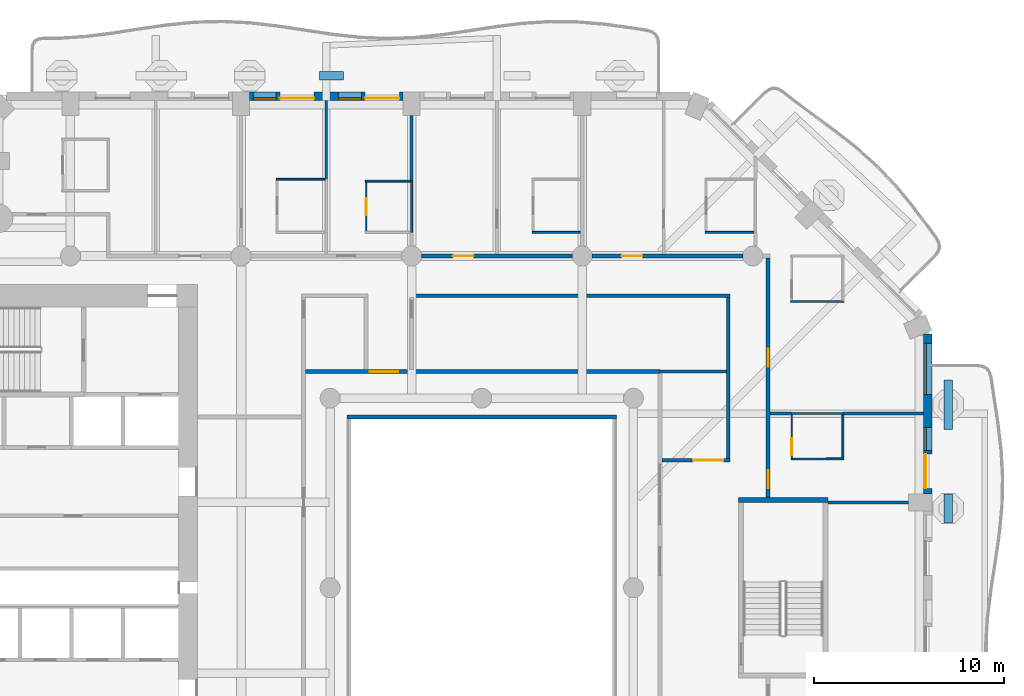
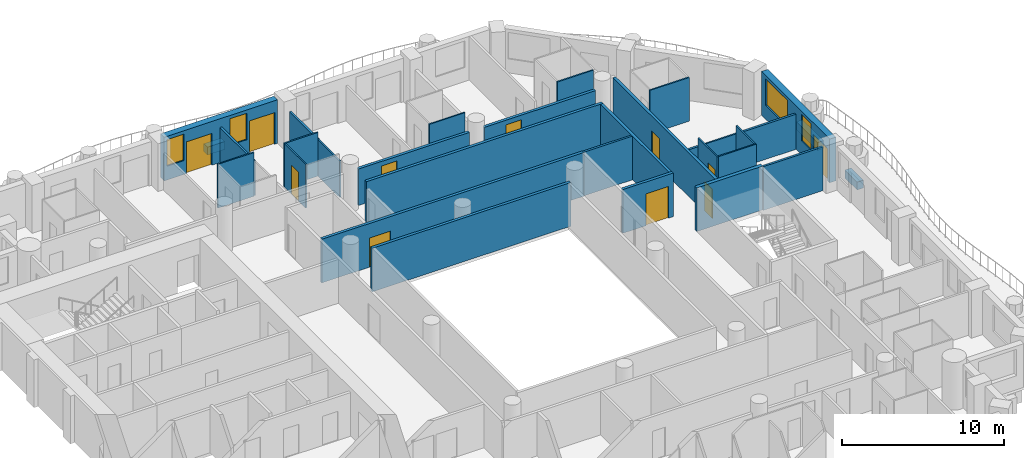
# One storey, part 9 of 20: 31 walls, 11 doors, 4 windows, 15 openings.
"""IFC4 building model written with IfcOpenShell, lengths in metres."""

from ifc_helpers import new_model, si_unit, direction, frame, frame_2d, origin, place, context, subcontext, project, spatial, rectangle, extrude, material, layer, layer_set, type_object, element, fill, save


model = new_model("IFC4")

# Units and contexts
model_context = context("Model", 3, precision=1e-05, world=origin(), true_north=direction((0.0, 1.0)))
body_context = subcontext(model_context, "Body", "Model", "MODEL_VIEW")
ifc_project = project(units=[si_unit("LENGTHUNIT", "METRE"), si_unit("AREAUNIT", "SQUARE_METRE"), si_unit("VOLUMEUNIT", "CUBIC_METRE"), si_unit("PLANEANGLEUNIT", "RADIAN"), si_unit("MASSUNIT", "GRAM", prefix="KILO")], contexts=[model_context])

# Site, building, storey
site_placement = place(None, origin())
site = spatial("IfcSite", under=ifc_project, at=site_placement, CompositionType="ELEMENT")
building_placement = place(site_placement, origin())
building = spatial("IfcBuilding", under=site, at=building_placement, Name="Cypress Arch Tower", CompositionType="ELEMENT")
storey_placement = place(building_placement, frame((0.0, 0.0, 113.10009765625)))
storey = spatial("IfcBuildingStorey", under=building, at=storey_placement, Name="L23", CompositionType="ELEMENT", Elevation=113.10009765625)

# Walls
ifc_material_1 = material(Name="Concrete C40/50, waterproofed", Category="concrete")
ifc_layer_1 = layer(ifc_material_1, 0.449951171875)
ifc_layer_set_1 = layer_set([ifc_layer_1], Name="Balcony planter wall PW450")
wall_type_1 = type_object("IfcWallType", Name="Balcony planter wall PW450", PredefinedType="SOLIDWALL", material=ifc_layer_set_1)
wall_1_placement = place(storey_placement, frame((25.60009765625, 3.42138671875, 0.0), z_axis=(0.0, 0.0, 1.0), x_axis=(0.0, 1.0, 0.0)))
element("IfcWall", 1, at=wall_1_placement, inside=storey, type_object=wall_type_1, Name="Balcony planter wall L23-A06.3", PredefinedType="SOLIDWALL", context=body_context, shape_type="SweptSolid", body=[
    extrude(rectangle(XDim=1.5224609375, YDim=0.449951171875, at=frame_2d((0.76123046875, 0.0))), origin(), (0.0, 0.0, 1.0), 0.599853515625),
])
wall_2_placement = place(storey_placement, frame((25.60009765625, 8.335693359375, 0.0), z_axis=(0.0, 0.0, 1.0), x_axis=(0.0, 1.0, 0.0)))
element("IfcWall", 2, at=wall_2_placement, inside=storey, type_object=wall_type_1, Name="Balcony planter wall L23-A06.4", PredefinedType="SOLIDWALL", context=body_context, shape_type="SweptSolid", body=[
    extrude(rectangle(XDim=2.6142578125, YDim=0.449951171875, at=frame_2d((1.30712890625, 0.0))), origin(), (0.0, 0.0, 1.0), 0.599853515625),
])
wall_3_placement = place(storey_placement, frame((-6.300048828125, 27.0, 0.0), z_axis=(0.0, 0.0, 1.0), x_axis=(-1.0, 0.0, 0.0)))
element("IfcWall", 3, at=wall_3_placement, inside=storey, type_object=wall_type_1, Name="Balcony planter wall L23-A08.3", PredefinedType="SOLIDWALL", context=body_context, shape_type="SweptSolid", body=[
    extrude(rectangle(XDim=1.25, YDim=0.449951171875, at=frame_2d((0.625, 0.0))), origin(), (0.0, 0.0, 1.0), 0.599853515625),
])

# Wall, openings, door, windows
ifc_material_2 = material(Name="Brick (red buff blend)", Category="masonry")
ifc_layer_2 = layer(ifc_material_2, 0.449951171875)
ifc_layer_set_2 = layer_set([ifc_layer_2], Name="Brick pier and spandrel wall BW450")
wall_type_2 = type_object("IfcWallType", Name="Brick pier and spandrel wall BW450", PredefinedType="SOLIDWALL", material=ifc_layer_set_2)
wall_4_placement = place(storey_placement, frame((24.52490234375, 4.949951171875, 0.0), z_axis=(0.0, 0.0, 1.0), x_axis=(0.0, 1.0, 0.0)))
wall_4 = element("IfcWall", 4, at=wall_4_placement, inside=storey, type_object=wall_type_2, Name="Brick wall L23 A06.3", PredefinedType="SOLIDWALL", context=body_context, shape_type="SweptSolid", body=[
    extrude(rectangle(XDim=8.438720703125, YDim=0.449951171875, at=frame_2d((4.21923828125, 0.0))), origin(), (0.0, 0.0, 1.0), 3.2998046875),
])
opening_1_placement = place(wall_4_placement, frame((0.2939453125, 0.0, 0.0)))
opening_1 = element("IfcOpeningElement", 5, at=opening_1_placement, cuts=wall_4, Name="Opening D-L23-A06.3.1", PredefinedType="OPENING", context=body_context, shape_type="SweptSolid", body=[
    extrude(rectangle(XDim=1.800048828125, YDim=2.39990234375, at=frame_2d((0.89990234375, 1.199951171875))), frame((0.0, 0.23486328125, 0.0), z_axis=(0.0, -1.0, 0.0), x_axis=(1.0, 0.0, 0.0)), (0.0, 0.0, 1.0), 0.469970703125),
])
opening_2_placement = place(wall_4_placement, frame((2.2939453125, 0.0, 1.050048828125)))
opening_2 = element("IfcOpeningElement", 6, at=opening_2_placement, cuts=wall_4, Name="Opening W120HD", PredefinedType="OPENING", context=body_context, shape_type="SweptSolid", body=[
    extrude(rectangle(XDim=1.199951171875, YDim=2.0, at=frame_2d((0.60009765625, 1.0))), frame((0.0, 0.23486328125, 0.0), z_axis=(0.0, -1.0, 0.0), x_axis=(1.0, 0.0, 0.0)), (0.0, 0.0, 1.0), 0.469970703125),
])
opening_3_placement = place(wall_4_placement, frame((5.231689453125, 0.0, 1.050048828125)))
opening_3 = element("IfcOpeningElement", 7, at=opening_3_placement, cuts=wall_4, Name="Opening W270HD", PredefinedType="OPENING", context=body_context, shape_type="SweptSolid", body=[
    extrude(rectangle(XDim=2.699951171875, YDim=2.0, at=frame_2d((1.35009765625, 1.0))), frame((0.0, 0.23486328125, 0.0), z_axis=(0.0, -1.0, 0.0), x_axis=(1.0, 0.0, 0.0)), (0.0, 0.0, 1.0), 0.469970703125),
])
ifc_material_3 = material(Name="Anodised aluminium, bronze finish, laminated low-emissivity double glazing, large-missile impact rated", Category="aluminium")
door_type_1 = type_object("IfcDoorType", Name="Balcony sliding door 1800x2400", OperationType="SLIDING_TO_LEFT", PredefinedType="DOOR", material=ifc_material_3)
door_1_placement = place(opening_1_placement, origin())
door_1 = element("IfcDoor", 8, at=door_1_placement, inside=storey, type_object=door_type_1, Name="Balcony door L23 A06.3.1", OperationType="SLIDING_TO_LEFT", OverallHeight=2.39990234375, OverallWidth=1.800048828125, PredefinedType="DOOR", context=body_context, shape_type="SweptSolid", body=[
    extrude(rectangle(XDim=1.800048828125, YDim=2.39990234375, at=frame_2d((0.89990234375, 1.199951171875))), frame((0.0, 0.1298828125, 0.0), z_axis=(0.0, -1.0, 0.0), x_axis=(1.0, 0.0, 0.0)), (0.0, 0.0, 1.0), 0.050048828125),
])
fill(opening_1, door_1)
ifc_material_4 = material(Name="Anodised aluminium, bronze finish, laminated low-emissivity double glazing, large-missile impact rated", Category="aluminium")
window_type_1 = type_object("IfcWindowType", Name="Window Hotel 1200x2000 debris-rated", PartitioningType="SINGLE_PANEL", PredefinedType="WINDOW", material=ifc_material_4)
window_1_placement = place(opening_2_placement, origin())
window_1 = element("IfcWindow", 9, at=window_1_placement, inside=storey, type_object=window_type_1, Name="Window L23 A06.3.1", OverallHeight=2.0, OverallWidth=1.199951171875, PartitioningType="SINGLE_PANEL", PredefinedType="WINDOW", context=body_context, shape_type="SweptSolid", body=[
    extrude(rectangle(XDim=1.199951171875, YDim=2.0, at=frame_2d((0.60009765625, 1.0))), frame((0.0, 0.135009765625, 0.0), z_axis=(0.0, -1.0, 0.0), x_axis=(1.0, 0.0, 0.0)), (0.0, 0.0, 1.0), 0.06005859375),
])
fill(opening_2, window_1)
ifc_material_5 = material(Name="Anodised aluminium, bronze finish, laminated low-emissivity double glazing, large-missile impact rated", Category="aluminium")
window_type_2 = type_object("IfcWindowType", Name="Window Hotel 2700x2000 debris-rated", PartitioningType="SINGLE_PANEL", PredefinedType="WINDOW", material=ifc_material_5)
window_2_placement = place(opening_3_placement, origin())
window_2 = element("IfcWindow", 10, at=window_2_placement, inside=storey, type_object=window_type_2, Name="Window L23 A06.3.2", OverallHeight=2.0, OverallWidth=2.699951171875, PartitioningType="SINGLE_PANEL", PredefinedType="WINDOW", context=body_context, shape_type="SweptSolid", body=[
    extrude(rectangle(XDim=2.699951171875, YDim=2.0, at=frame_2d((1.35009765625, 1.0))), frame((0.0, 0.135009765625, 0.0), z_axis=(0.0, -1.0, 0.0), x_axis=(1.0, 0.0, 0.0)), (0.0, 0.0, 1.0), 0.06005859375),
])
fill(opening_3, window_2)

# Wall, openings, doors, windows
wall_5_placement = place(storey_placement, frame((-3.14990234375, 25.925048828125, 0.0), z_axis=(0.0, 0.0, 1.0), x_axis=(-1.0, 0.0, 0.0)))
wall_5 = element("IfcWall", 11, at=wall_5_placement, inside=storey, type_object=wall_type_2, Name="Brick wall L23 A08.2", PredefinedType="SOLIDWALL", context=body_context, shape_type="SweptSolid", body=[
    extrude(rectangle(XDim=8.10009765625, YDim=0.449951171875, at=frame_2d((4.050048828125, 0.0))), origin(), (0.0, 0.0, 1.0), 3.2998046875),
])
opening_4_placement = place(wall_5_placement, frame((0.199951171875, 0.0, 0.0)))
opening_4 = element("IfcOpeningElement", 12, at=opening_4_placement, cuts=wall_5, Name="Opening D-L23-A08.2.1", PredefinedType="OPENING", context=body_context, shape_type="SweptSolid", body=[
    extrude(rectangle(XDim=1.800048828125, YDim=2.39990234375, at=frame_2d((0.89990234375, 1.199951171875))), frame((0.0, 0.23486328125, 0.0), z_axis=(0.0, -1.0, 0.0), x_axis=(1.0, 0.0, 0.0)), (0.0, 0.0, 1.0), 0.469970703125),
])
opening_5_placement = place(wall_5_placement, frame((2.199951171875, 0.0, 1.050048828125)))
opening_5 = element("IfcOpeningElement", 13, at=opening_5_placement, cuts=wall_5, Name="Opening W120HD", PredefinedType="OPENING", context=body_context, shape_type="SweptSolid", body=[
    extrude(rectangle(XDim=1.199951171875, YDim=2.0, at=frame_2d((0.60009765625, 1.0))), frame((0.0, 0.23486328125, 0.0), z_axis=(0.0, -1.0, 0.0), x_axis=(1.0, 0.0, 0.0)), (0.0, 0.0, 1.0), 0.469970703125),
])
opening_6_placement = place(wall_5_placement, frame((4.699951171875, 0.0, 0.0)))
opening_6 = element("IfcOpeningElement", 14, at=opening_6_placement, cuts=wall_5, Name="Opening D-L23-A08.2.2", PredefinedType="OPENING", context=body_context, shape_type="SweptSolid", body=[
    extrude(rectangle(XDim=1.800048828125, YDim=2.39990234375, at=frame_2d((0.89990234375, 1.199951171875))), frame((0.0, 0.23486328125, 0.0), z_axis=(0.0, -1.0, 0.0), x_axis=(1.0, 0.0, 0.0)), (0.0, 0.0, 1.0), 0.469970703125),
])
opening_7_placement = place(wall_5_placement, frame((6.699951171875, 0.0, 1.050048828125)))
opening_7 = element("IfcOpeningElement", 15, at=opening_7_placement, cuts=wall_5, Name="Opening W120HD", PredefinedType="OPENING", context=body_context, shape_type="SweptSolid", body=[
    extrude(rectangle(XDim=1.199951171875, YDim=2.0, at=frame_2d((0.60009765625, 1.0))), frame((0.0, 0.23486328125, 0.0), z_axis=(0.0, -1.0, 0.0), x_axis=(1.0, 0.0, 0.0)), (0.0, 0.0, 1.0), 0.469970703125),
])
door_2_placement = place(opening_4_placement, origin())
door_2 = element("IfcDoor", 16, at=door_2_placement, inside=storey, type_object=door_type_1, Name="Balcony door L23 A08.2.1", OperationType="SLIDING_TO_LEFT", OverallHeight=2.39990234375, OverallWidth=1.800048828125, PredefinedType="DOOR", context=body_context, shape_type="SweptSolid", body=[
    extrude(rectangle(XDim=1.800048828125, YDim=2.39990234375, at=frame_2d((0.89990234375, 1.199951171875))), frame((0.0, 0.1298828125, 0.0), z_axis=(0.0, -1.0, 0.0), x_axis=(1.0, 0.0, 0.0)), (0.0, 0.0, 1.0), 0.050048828125),
])
fill(opening_4, door_2)
door_3_placement = place(opening_6_placement, origin())
door_3 = element("IfcDoor", 17, at=door_3_placement, inside=storey, type_object=door_type_1, Name="Balcony door L23 A08.2.2", OperationType="SLIDING_TO_LEFT", OverallHeight=2.39990234375, OverallWidth=1.800048828125, PredefinedType="DOOR", context=body_context, shape_type="SweptSolid", body=[
    extrude(rectangle(XDim=1.800048828125, YDim=2.39990234375, at=frame_2d((0.89990234375, 1.199951171875))), frame((0.0, 0.1298828125, 0.0), z_axis=(0.0, -1.0, 0.0), x_axis=(1.0, 0.0, 0.0)), (0.0, 0.0, 1.0), 0.050048828125),
])
fill(opening_6, door_3)
window_3_placement = place(opening_5_placement, origin())
window_3 = element("IfcWindow", 18, at=window_3_placement, inside=storey, type_object=window_type_1, Name="Window L23 A08.2.1", OverallHeight=2.0, OverallWidth=1.199951171875, PartitioningType="SINGLE_PANEL", PredefinedType="WINDOW", context=body_context, shape_type="SweptSolid", body=[
    extrude(rectangle(XDim=1.199951171875, YDim=2.0, at=frame_2d((0.60009765625, 1.0))), frame((0.0, 0.135009765625, 0.0), z_axis=(0.0, -1.0, 0.0), x_axis=(1.0, 0.0, 0.0)), (0.0, 0.0, 1.0), 0.06005859375),
])
fill(opening_5, window_3)
window_4_placement = place(opening_7_placement, origin())
window_4 = element("IfcWindow", 19, at=window_4_placement, inside=storey, type_object=window_type_1, Name="Window L23 A08.2.2", OverallHeight=2.0, OverallWidth=1.199951171875, PartitioningType="SINGLE_PANEL", PredefinedType="WINDOW", context=body_context, shape_type="SweptSolid", body=[
    extrude(rectangle(XDim=1.199951171875, YDim=2.0, at=frame_2d((0.60009765625, 1.0))), frame((0.0, 0.135009765625, 0.0), z_axis=(0.0, -1.0, 0.0), x_axis=(1.0, 0.0, 0.0)), (0.0, 0.0, 1.0), 0.06005859375),
])
fill(opening_7, window_4)

# Wall, opening, door
ifc_material_6 = material(Name="Concrete blockwork, plastered, rated", Category="masonry")
ifc_layer_3 = layer(ifc_material_6, 0.199951171875)
ifc_layer_set_3 = layer_set([ifc_layer_3], Name="Corridor wall FW200")
wall_type_3 = type_object("IfcWallType", Name="Corridor wall FW200", PredefinedType="PARTITIONING", material=ifc_layer_set_3)
wall_6_placement = place(storey_placement, frame((-2.175048828125, 17.5, 0.0), z_axis=(0.0, 0.0, 1.0), x_axis=(1.0, 0.0, 0.0)))
wall_6 = element("IfcWall", 20, at=wall_6_placement, inside=storey, type_object=wall_type_3, Name="Corridor wall", PredefinedType="PARTITIONING", context=body_context, shape_type="SweptSolid", body=[
    extrude(rectangle(XDim=7.949951171875, YDim=0.199951171875, at=frame_2d((3.97509765625, 0.0))), origin(), (0.0, 0.0, 1.0), 2.75),
])
opening_8_placement = place(wall_6_placement, frame((1.64990234375, 0.0, 0.0)))
opening_8 = element("IfcOpeningElement", 21, at=opening_8_placement, cuts=wall_6, Name="Opening D01", PredefinedType="OPENING", context=body_context, shape_type="SweptSolid", body=[
    extrude(rectangle(XDim=1.10009765625, YDim=2.39990234375, at=frame_2d((0.550048828125, 1.199951171875))), frame((0.0, 0.10986328125, 0.0), z_axis=(0.0, -1.0, 0.0), x_axis=(1.0, 0.0, 0.0)), (0.0, 0.0, 1.0), 0.219970703125),
])
ifc_material_7 = material(Name="Timber flush door, fire resisting, self-closing", Category="wood")
door_type_2 = type_object("IfcDoorType", Name="Unit entrance door D01 1100x2400", OperationType="SINGLE_SWING_LEFT", PredefinedType="DOOR", material=ifc_material_7)
door_4_placement = place(opening_8_placement, origin())
door_4 = element("IfcDoor", 22, at=door_4_placement, inside=storey, type_object=door_type_2, Name="Unit entrance door", OperationType="SINGLE_SWING_RIGHT", OverallHeight=2.39990234375, OverallWidth=1.10009765625, PredefinedType="DOOR", context=body_context, shape_type="SweptSolid", body=[
    extrude(rectangle(XDim=1.10009765625, YDim=2.39990234375, at=frame_2d((0.550048828125, 1.199951171875))), frame((0.0, 0.02490234375, 0.0), z_axis=(0.0, -1.0, 0.0), x_axis=(1.0, 0.0, 0.0)), (0.0, 0.0, 1.0), 0.050048828125),
])
fill(opening_8, door_4)

wall_7_placement = place(storey_placement, frame((6.824951171875, 17.5, 0.0), z_axis=(0.0, 0.0, 1.0), x_axis=(1.0, 0.0, 0.0)))
wall_7 = element("IfcWall", 23, at=wall_7_placement, inside=storey, type_object=wall_type_3, Name="Corridor wall", PredefinedType="PARTITIONING", context=body_context, shape_type="SweptSolid", body=[
    extrude(rectangle(XDim=7.949951171875, YDim=0.199951171875, at=frame_2d((3.97509765625, 0.0))), origin(), (0.0, 0.0, 1.0), 2.75),
])
opening_9_placement = place(wall_7_placement, frame((1.550048828125, 0.0, 0.0)))
opening_9 = element("IfcOpeningElement", 24, at=opening_9_placement, cuts=wall_7, Name="Opening D01", PredefinedType="OPENING", context=body_context, shape_type="SweptSolid", body=[
    extrude(rectangle(XDim=1.10009765625, YDim=2.39990234375, at=frame_2d((0.550048828125, 1.199951171875))), frame((0.0, 0.10986328125, 0.0), z_axis=(0.0, -1.0, 0.0), x_axis=(1.0, 0.0, 0.0)), (0.0, 0.0, 1.0), 0.219970703125),
])
door_5_placement = place(opening_9_placement, origin())
door_5 = element("IfcDoor", 25, at=door_5_placement, inside=storey, type_object=door_type_2, Name="Unit entrance door", OperationType="SINGLE_SWING_RIGHT", OverallHeight=2.39990234375, OverallWidth=1.10009765625, PredefinedType="DOOR", context=body_context, shape_type="SweptSolid", body=[
    extrude(rectangle(XDim=1.10009765625, YDim=2.39990234375, at=frame_2d((0.550048828125, 1.199951171875))), frame((0.0, 0.02490234375, 0.0), z_axis=(0.0, -1.0, 0.0), x_axis=(1.0, 0.0, 0.0)), (0.0, 0.0, 1.0), 0.050048828125),
])
fill(opening_9, door_5)

wall_8_placement = place(storey_placement, frame((-8.300048828125, 11.39990234375, 0.0), z_axis=(0.0, 0.0, 1.0), x_axis=(1.0, 0.0, 0.0)))
wall_8 = element("IfcWall", 26, at=wall_8_placement, inside=storey, type_object=wall_type_3, Name="Corridor wall", PredefinedType="PARTITIONING", context=body_context, shape_type="SweptSolid", body=[
    extrude(rectangle(XDim=18.699951171875, YDim=0.199951171875, at=frame_2d((9.35009765625, 0.0))), origin(), (0.0, 0.0, 1.0), 3.2998046875),
])
opening_10_placement = place(wall_8_placement, frame((3.39990234375, 0.0, 0.0)))
opening_10 = element("IfcOpeningElement", 27, at=opening_10_placement, cuts=wall_8, Name="Opening D04", PredefinedType="OPENING", context=body_context, shape_type="SweptSolid", body=[
    extrude(rectangle(XDim=1.5, YDim=2.199951171875, at=frame_2d((0.75, 1.10009765625))), frame((0.0, 0.10986328125, 0.0), z_axis=(0.0, -1.0, 0.0), x_axis=(1.0, 0.0, 0.0)), (0.0, 0.0, 1.0), 0.219970703125),
])
ifc_material_8 = material(Name="Timber double door", Category="wood")
door_type_3 = type_object("IfcDoorType", Name="Double door D04 1500x2200", OperationType="DOUBLE_DOOR_SINGLE_SWING", PredefinedType="DOOR", material=ifc_material_8)
door_6_placement = place(opening_10_placement, origin())
door_6 = element("IfcDoor", 28, at=door_6_placement, inside=storey, type_object=door_type_3, Name="Double door", OperationType="DOUBLE_DOOR_SINGLE_SWING", OverallHeight=2.199951171875, OverallWidth=1.5, PredefinedType="DOOR", context=body_context, shape_type="SweptSolid", body=[
    extrude(rectangle(XDim=1.5, YDim=2.199951171875, at=frame_2d((0.75, 1.10009765625))), frame((0.0, 0.02490234375, 0.0), z_axis=(0.0, -1.0, 0.0), x_axis=(1.0, 0.0, 0.0)), (0.0, 0.0, 1.0), 0.050048828125),
])
fill(opening_10, door_6)

# Walls
wall_9_placement = place(storey_placement, frame((-6.10009765625, 9.0, 0.0), z_axis=(0.0, 0.0, 1.0), x_axis=(1.0, 0.0, 0.0)))
element("IfcWall", 29, at=wall_9_placement, inside=storey, type_object=wall_type_3, Name="Corridor wall", PredefinedType="PARTITIONING", context=body_context, shape_type="SweptSolid", body=[
    extrude(rectangle(XDim=14.2001953125, YDim=0.199951171875, at=frame_2d((7.10009765625, 0.0))), origin(), (0.0, 0.0, 1.0), 3.2998046875),
])
wall_10_placement = place(storey_placement, frame((-2.800048828125, 15.39990234375, 0.0), z_axis=(0.0, 0.0, 1.0), x_axis=(1.0, 0.0, 0.0)))
element("IfcWall", 30, at=wall_10_placement, inside=storey, type_object=wall_type_3, Name="Corridor wall", PredefinedType="PARTITIONING", context=body_context, shape_type="SweptSolid", body=[
    extrude(rectangle(XDim=16.900146484375, YDim=0.199951171875, at=frame_2d((8.4501953125, 0.0))), origin(), (0.0, 0.0, 1.0), 3.2998046875),
])

# Wall, opening, door
wall_11_placement = place(storey_placement, frame((10.5, 6.72509765625, 0.0), z_axis=(0.0, 0.0, 1.0), x_axis=(1.0, 0.0, 0.0)))
wall_11 = element("IfcWall", 31, at=wall_11_placement, inside=storey, type_object=wall_type_3, Name="Corridor wall", PredefinedType="PARTITIONING", context=body_context, shape_type="SweptSolid", body=[
    extrude(rectangle(XDim=3.60009765625, YDim=0.199951171875, at=frame_2d((1.800048828125, 0.0))), origin(), (0.0, 0.0, 1.0), 3.2998046875),
])
opening_11_placement = place(wall_11_placement, frame((1.64990234375, 0.0, 0.0)))
opening_11 = element("IfcOpeningElement", 32, at=opening_11_placement, cuts=wall_11, Name="Opening D10", PredefinedType="OPENING", context=body_context, shape_type="SweptSolid", body=[
    extrude(rectangle(XDim=1.60009765625, YDim=2.39990234375, at=frame_2d((0.800048828125, 1.199951171875))), frame((0.0, 0.10986328125, 0.0), z_axis=(0.0, -1.0, 0.0), x_axis=(1.0, 0.0, 0.0)), (0.0, 0.0, 1.0), 0.219970703125),
])
ifc_material_9 = material(Name="Black aluminium glazed door", Category="aluminium")
door_type_4 = type_object("IfcDoorType", Name="Amenity door D10 1600x2400", OperationType="DOUBLE_DOOR_SINGLE_SWING", PredefinedType="DOOR", material=ifc_material_9)
door_7_placement = place(opening_11_placement, origin())
door_7 = element("IfcDoor", 33, at=door_7_placement, inside=storey, type_object=door_type_4, Name="Amenity door", OperationType="DOUBLE_DOOR_SINGLE_SWING", OverallHeight=2.39990234375, OverallWidth=1.60009765625, PredefinedType="DOOR", context=body_context, shape_type="SweptSolid", body=[
    extrude(rectangle(XDim=1.60009765625, YDim=2.39990234375, at=frame_2d((0.800048828125, 1.199951171875))), frame((0.0, 0.02490234375, 0.0), z_axis=(0.0, -1.0, 0.0), x_axis=(1.0, 0.0, 0.0)), (0.0, 0.0, 1.0), 0.050048828125),
])
fill(opening_11, door_7)

# Wall
wall_12_placement = place(storey_placement, frame((14.0, 6.824951171875, 0.0), z_axis=(0.0, 0.0, 1.0), x_axis=(0.0, 1.0, 0.0)))
element("IfcWall", 34, at=wall_12_placement, inside=storey, type_object=wall_type_3, Name="Corridor wall", PredefinedType="PARTITIONING", context=body_context, shape_type="SweptSolid", body=[
    extrude(rectangle(XDim=8.47509765625, YDim=0.199951171875, at=frame_2d((4.237548828125, 0.0))), origin(), (0.0, 0.0, 1.0), 3.2998046875),
])

# Wall, openings, doors
wall_13_placement = place(storey_placement, frame((16.10009765625, 4.75, 0.0), z_axis=(0.0, 0.0, 1.0), x_axis=(0.0, 1.0, 0.0)))
wall_13 = element("IfcWall", 35, at=wall_13_placement, inside=storey, type_object=wall_type_3, Name="Corridor wall", PredefinedType="PARTITIONING", context=body_context, shape_type="SweptSolid", body=[
    extrude(rectangle(XDim=12.64990234375, YDim=0.199951171875, at=frame_2d((6.324951171875, 0.0))), origin(), (0.0, 0.0, 1.0), 3.2998046875),
])
opening_12_placement = place(wall_13_placement, frame((0.5, 0.0, 0.0)))
opening_12 = element("IfcOpeningElement", 36, at=opening_12_placement, cuts=wall_13, Name="Opening D02", PredefinedType="OPENING", context=body_context, shape_type="SweptSolid", body=[
    extrude(rectangle(XDim=0.949951171875, YDim=2.199951171875, at=frame_2d((0.47509765625, 1.10009765625))), frame((0.0, 0.10986328125, 0.0), z_axis=(0.0, -1.0, 0.0), x_axis=(1.0, 0.0, 0.0)), (0.0, 0.0, 1.0), 0.219970703125),
])
opening_13_placement = place(wall_13_placement, frame((6.89990234375, 0.0, 0.0)))
opening_13 = element("IfcOpeningElement", 37, at=opening_13_placement, cuts=wall_13, Name="Opening D02", PredefinedType="OPENING", context=body_context, shape_type="SweptSolid", body=[
    extrude(rectangle(XDim=0.949951171875, YDim=2.199951171875, at=frame_2d((0.47509765625, 1.10009765625))), frame((0.0, 0.10986328125, 0.0), z_axis=(0.0, -1.0, 0.0), x_axis=(1.0, 0.0, 0.0)), (0.0, 0.0, 1.0), 0.219970703125),
])
ifc_material_10 = material(Name="Timber flush door, fire resisting", Category="wood")
door_type_5 = type_object("IfcDoorType", Name="Room door D02 950x2200", OperationType="SINGLE_SWING_LEFT", PredefinedType="DOOR", material=ifc_material_10)
door_8_placement = place(opening_12_placement, origin())
door_8 = element("IfcDoor", 38, at=door_8_placement, inside=storey, type_object=door_type_5, Name="Room door", OperationType="SINGLE_SWING_RIGHT", OverallHeight=2.199951171875, OverallWidth=0.949951171875, PredefinedType="DOOR", context=body_context, shape_type="SweptSolid", body=[
    extrude(rectangle(XDim=0.949951171875, YDim=2.199951171875, at=frame_2d((0.47509765625, 1.10009765625))), frame((0.0, 0.02490234375, 0.0), z_axis=(0.0, -1.0, 0.0), x_axis=(1.0, 0.0, 0.0)), (0.0, 0.0, 1.0), 0.050048828125),
])
fill(opening_12, door_8)
door_9_placement = place(opening_13_placement, origin())
door_9 = element("IfcDoor", 39, at=door_9_placement, inside=storey, type_object=door_type_5, Name="Room door", OperationType="SINGLE_SWING_RIGHT", OverallHeight=2.199951171875, OverallWidth=0.949951171875, PredefinedType="DOOR", context=body_context, shape_type="SweptSolid", body=[
    extrude(rectangle(XDim=0.949951171875, YDim=2.199951171875, at=frame_2d((0.47509765625, 1.10009765625))), frame((0.0, 0.02490234375, 0.0), z_axis=(0.0, -1.0, 0.0), x_axis=(1.0, 0.0, 0.0)), (0.0, 0.0, 1.0), 0.050048828125),
])
fill(opening_13, door_9)

# Walls
ifc_material_11 = material(Name="Blockwork, plastered both sides", Category="masonry")
ifc_layer_4 = layer(ifc_material_11, 0.14990234375)
ifc_layer_set_4 = layer_set([ifc_layer_4], Name="Partition PW150")
wall_type_4 = type_object("IfcWallType", Name="Partition PW150", PredefinedType="PARTITIONING", material=ifc_layer_set_4)
wall_14_placement = place(storey_placement, frame((-7.199951171875, 21.550048828125, 0.0), z_axis=(0.0, 0.0, 1.0), x_axis=(0.0, 1.0, 0.0)))
element("IfcWall", 40, at=wall_14_placement, inside=storey, type_object=wall_type_4, Name="Partition", PredefinedType="PARTITIONING", context=body_context, shape_type="SweptSolid", body=[
    extrude(rectangle(XDim=4.14990234375, YDim=0.14990234375, at=frame_2d((2.074951171875, 0.0))), origin(), (0.0, 0.0, 1.0), 2.64990234375),
])
wall_15_placement = place(storey_placement, frame((-2.699951171875, 21.449951171875, 0.0), z_axis=(0.0, 0.0, 1.0), x_axis=(0.0, 1.0, 0.0)))
element("IfcWall", 41, at=wall_15_placement, inside=storey, type_object=wall_type_4, Name="Partition", PredefinedType="PARTITIONING", context=body_context, shape_type="SweptSolid", body=[
    extrude(rectangle(XDim=3.449951171875, YDim=0.14990234375, at=frame_2d((1.72509765625, 0.0))), origin(), (0.0, 0.0, 1.0), 2.75),
])
wall_16_placement = place(storey_placement, frame((10.39990234375, 11.39990234375, 0.0), z_axis=(0.0, 0.0, 1.0), x_axis=(1.0, 0.0, 0.0)))
element("IfcWall", 42, at=wall_16_placement, inside=storey, type_object=wall_type_4, Name="Partition", PredefinedType="PARTITIONING", context=body_context, shape_type="SweptSolid", body=[
    extrude(rectangle(XDim=3.5, YDim=0.14990234375, at=frame_2d((1.75, 0.0))), origin(), (0.0, 0.0, 1.0), 3.2998046875),
])
wall_17_placement = place(storey_placement, frame((16.199951171875, 9.18994140625, 0.0), z_axis=(0.0, 0.0, 1.0), x_axis=(1.0, 0.0, 0.0)))
element("IfcWall", 43, at=wall_17_placement, inside=storey, type_object=wall_type_4, Name="Partition", PredefinedType="PARTITIONING", context=body_context, shape_type="SweptSolid", body=[
    extrude(rectangle(XDim=1.130126953125, YDim=0.14990234375, at=frame_2d((0.56494140625, 0.0))), origin(), (0.0, 0.0, 1.0), 2.64990234375),
])
wall_18_placement = place(storey_placement, frame((19.25, 4.5, 0.0), z_axis=(0.0, 0.0, 1.0), x_axis=(1.0, 0.0, 0.0)))
element("IfcWall", 44, at=wall_18_placement, inside=storey, type_object=wall_type_4, Name="Partition", PredefinedType="PARTITIONING", context=body_context, shape_type="SweptSolid", body=[
    extrude(rectangle(XDim=4.25, YDim=0.14990234375, at=frame_2d((2.125, 0.0))), origin(), (0.0, 0.0, 1.0), 3.2998046875),
])
wall_19_placement = place(storey_placement, frame((20.050048828125, 9.18994140625, 0.0), z_axis=(0.0, 0.0, 1.0), x_axis=(1.0, 0.0, 0.0)))
element("IfcWall", 45, at=wall_19_placement, inside=storey, type_object=wall_type_4, Name="Partition", PredefinedType="PARTITIONING", context=body_context, shape_type="SweptSolid", body=[
    extrude(rectangle(XDim=4.25, YDim=0.14990234375, at=frame_2d((2.125, 0.0))), origin(), (0.0, 0.0, 1.0), 2.64990234375),
])
ifc_material_12 = material(Name="Concrete C50/60", Category="concrete")
ifc_layer_5 = layer(ifc_material_12, 0.25)
ifc_layer_set_5 = layer_set([ifc_layer_5], Name="Stair enclosure wall SW250")
wall_type_5 = type_object("IfcWallType", Name="Stair enclosure wall SW250", PredefinedType="SHEAR", material=ifc_layer_set_5)
wall_20_placement = place(storey_placement, frame((14.550048828125, 4.625, 0.0), z_axis=(0.0, 0.0, 1.0), x_axis=(1.0, 0.0, 0.0)))
element("IfcWall", 46, at=wall_20_placement, inside=storey, type_object=wall_type_5, Name="Stair enclosure wall", PredefinedType="SHEAR", context=body_context, shape_type="SweptSolid", body=[
    extrude(rectangle(XDim=4.699951171875, YDim=0.25, at=frame_2d((2.35009765625, 0.0))), origin(), (0.0, 0.0, 1.0), 3.2998046875),
])
ifc_material_13 = material(Name="Moisture resistant board on steel studs, tiled", Category="steel")
ifc_layer_6 = layer(ifc_material_13, 0.10009765625)
ifc_layer_set_6 = layer_set([ifc_layer_6], Name="Wet wall PW100")
wall_type_6 = type_object("IfcWallType", Name="Wet wall PW100", PredefinedType="PARTITIONING", material=ifc_layer_set_6)
wall_21_placement = place(storey_placement, frame((-9.845947265625, 21.550048828125, 0.0), z_axis=(0.0, 0.0, 1.0), x_axis=(1.0, 0.0, 0.0)))
element("IfcWall", 47, at=wall_21_placement, inside=storey, type_object=wall_type_6, Name="Wet wall", PredefinedType="PARTITIONING", context=body_context, shape_type="SweptSolid", body=[
    extrude(rectangle(XDim=2.595947265625, YDim=0.10009765625, at=frame_2d((1.2978515625, 0.0))), origin(), (0.0, 0.0, 1.0), 3.2998046875),
])

# Wall, opening, door
wall_22_placement = place(storey_placement, frame((-5.095947265625, 18.800048828125, 0.0), z_axis=(0.0, 0.0, 1.0), x_axis=(0.0, 1.0, 0.0)))
wall_22 = element("IfcWall", 48, at=wall_22_placement, inside=storey, type_object=wall_type_6, Name="Wet wall", PredefinedType="PARTITIONING", context=body_context, shape_type="SweptSolid", body=[
    extrude(rectangle(XDim=2.599853515625, YDim=0.10009765625, at=frame_2d((1.2998046875, 0.0))), origin(), (0.0, 0.0, 1.0), 3.2998046875),
])
opening_14_placement = place(wall_22_placement, frame((0.85009765625, 0.0, 0.0)))
opening_14 = element("IfcOpeningElement", 49, at=opening_14_placement, cuts=wall_22, Name="Opening D03", PredefinedType="OPENING", context=body_context, shape_type="SweptSolid", body=[
    extrude(rectangle(XDim=0.89990234375, YDim=2.199951171875, at=frame_2d((0.449951171875, 1.10009765625))), frame((0.0, 0.06005859375, 0.0), z_axis=(0.0, -1.0, 0.0), x_axis=(1.0, 0.0, 0.0)), (0.0, 0.0, 1.0), 0.1201171875),
])
ifc_material_14 = material(Name="Timber flush door, moisture resistant", Category="wood")
door_type_6 = type_object("IfcDoorType", Name="Bathroom door D03 900x2200", OperationType="SINGLE_SWING_LEFT", PredefinedType="DOOR", material=ifc_material_14)
door_10_placement = place(opening_14_placement, origin())
door_10 = element("IfcDoor", 50, at=door_10_placement, inside=storey, type_object=door_type_6, Name="Bathroom door", OperationType="SINGLE_SWING_RIGHT", OverallHeight=2.199951171875, OverallWidth=0.89990234375, PredefinedType="DOOR", context=body_context, shape_type="SweptSolid", body=[
    extrude(rectangle(XDim=0.89990234375, YDim=2.199951171875, at=frame_2d((0.449951171875, 1.10009765625))), frame((0.0, 0.02490234375, 0.0), z_axis=(0.0, -1.0, 0.0), x_axis=(1.0, 0.0, 0.0)), (0.0, 0.0, 1.0), 0.050048828125),
])
fill(opening_14, door_10)

# Walls
wall_23_placement = place(storey_placement, frame((-5.14599609375, 21.449951171875, 0.0), z_axis=(0.0, 0.0, 1.0), x_axis=(1.0, 0.0, 0.0)))
element("IfcWall", 51, at=wall_23_placement, inside=storey, type_object=wall_type_6, Name="Wet wall", PredefinedType="PARTITIONING", context=body_context, shape_type="SweptSolid", body=[
    extrude(rectangle(XDim=2.39599609375, YDim=0.10009765625, at=frame_2d((1.197998046875, 0.0))), origin(), (0.0, 0.0, 1.0), 3.2998046875),
])
wall_24_placement = place(storey_placement, frame((-2.699951171875, 18.72998046875, 0.0), z_axis=(0.0, 0.0, 1.0), x_axis=(0.0, 1.0, 0.0)))
element("IfcWall", 52, at=wall_24_placement, inside=storey, type_object=wall_type_6, Name="Wet wall", PredefinedType="PARTITIONING", context=body_context, shape_type="SweptSolid", body=[
    extrude(rectangle(XDim=2.719970703125, YDim=0.10009765625, at=frame_2d((1.35986328125, 0.0))), origin(), (0.0, 0.0, 1.0), 2.75),
])
wall_25_placement = place(storey_placement, frame((3.654052734375, 18.75, 0.0), z_axis=(0.0, 0.0, 1.0), x_axis=(1.0, 0.0, 0.0)))
element("IfcWall", 53, at=wall_25_placement, inside=storey, type_object=wall_type_6, Name="Wet wall", PredefinedType="PARTITIONING", context=body_context, shape_type="SweptSolid", body=[
    extrude(rectangle(XDim=2.5458984375, YDim=0.10009765625, at=frame_2d((1.27294921875, 0.0))), origin(), (0.0, 0.0, 1.0), 3.2998046875),
])
wall_26_placement = place(storey_placement, frame((12.785888671875, 18.75, 0.0), z_axis=(0.0, 0.0, 1.0), x_axis=(1.0, 0.0, 0.0)))
element("IfcWall", 54, at=wall_26_placement, inside=storey, type_object=wall_type_6, Name="Wet wall", PredefinedType="PARTITIONING", context=body_context, shape_type="SweptSolid", body=[
    extrude(rectangle(XDim=2.571044921875, YDim=0.10009765625, at=frame_2d((1.28564453125, 0.0))), origin(), (0.0, 0.0, 1.0), 3.2998046875),
])
wall_27_placement = place(storey_placement, frame((17.330078125, 9.18994140625, 0.0), z_axis=(0.0, 0.0, 1.0), x_axis=(1.0, 0.0, 0.0)))
element("IfcWall", 55, at=wall_27_placement, inside=storey, type_object=wall_type_6, Name="Wet wall", PredefinedType="PARTITIONING", context=body_context, shape_type="SweptSolid", body=[
    extrude(rectangle(XDim=2.719970703125, YDim=0.10009765625, at=frame_2d((1.35986328125, 0.0))), origin(), (0.0, 0.0, 1.0), 2.64990234375),
])

# Wall, opening, door
wall_28_placement = place(storey_placement, frame((17.35009765625, 9.139892578125, 0.0), z_axis=(0.0, 0.0, 1.0), x_axis=(0.000407580973, -0.999999916939, 0.0)))
wall_28 = element("IfcWall", 56, at=wall_28_placement, inside=storey, type_object=wall_type_6, Name="Wet wall", PredefinedType="PARTITIONING", context=body_context, shape_type="SweptSolid", body=[
    extrude(rectangle(XDim=2.39599609375, YDim=0.10009765625, at=frame_2d((1.197998046875, 0.0))), origin(), (0.0, 0.0, 1.0), 3.2998046875),
])
opening_15_placement = place(wall_28_placement, frame((1.25, 0.0, 0.0)))
opening_15 = element("IfcOpeningElement", 57, at=opening_15_placement, cuts=wall_28, Name="Opening D03", PredefinedType="OPENING", context=body_context, shape_type="SweptSolid", body=[
    extrude(rectangle(XDim=0.89990234375, YDim=2.199951171875, at=frame_2d((0.449951171875, 1.10009765625))), frame((0.0, 0.06005859375, 0.0), z_axis=(0.0, -1.0, 0.0), x_axis=(1.0, 0.0, 0.0)), (0.0, 0.0, 1.0), 0.1201171875),
])
door_11_placement = place(opening_15_placement, origin())
door_11 = element("IfcDoor", 58, at=door_11_placement, inside=storey, type_object=door_type_6, Name="Bathroom door", OperationType="SINGLE_SWING_RIGHT", OverallHeight=2.199951171875, OverallWidth=0.89990234375, PredefinedType="DOOR", context=body_context, shape_type="SweptSolid", body=[
    extrude(rectangle(XDim=0.89990234375, YDim=2.199951171875, at=frame_2d((0.449951171875, 1.10009765625))), frame((0.0, 0.02490234375, 0.0), z_axis=(0.0, -1.0, 0.0), x_axis=(1.0, 0.0, 0.0)), (0.0, 0.0, 1.0), 0.050048828125),
])
fill(opening_15, door_11)

# Walls
wall_29_placement = place(storey_placement, frame((17.300048828125, 15.10009765625, 0.0), z_axis=(0.0, 0.0, 1.0), x_axis=(1.0, 0.0, 0.0)))
element("IfcWall", 59, at=wall_29_placement, inside=storey, type_object=wall_type_6, Name="Wet wall", PredefinedType="PARTITIONING", context=body_context, shape_type="SweptSolid", body=[
    extrude(rectangle(XDim=2.800048828125, YDim=0.10009765625, at=frame_2d((1.39990234375, 0.0))), origin(), (0.0, 0.0, 1.0), 3.2998046875),
])
wall_30_placement = place(storey_placement, frame((17.40087890625, 6.7939453125, 0.0), z_axis=(0.0, 0.0, 1.0), x_axis=(0.9999999346, 0.000361663629, 0.0)))
element("IfcWall", 60, at=wall_30_placement, inside=storey, type_object=wall_type_6, Name="Wet wall", PredefinedType="PARTITIONING", context=body_context, shape_type="SweptSolid", body=[
    extrude(rectangle(XDim=2.7001953125, YDim=0.10009765625, at=frame_2d((1.35009765625, 0.0))), origin(), (0.0, 0.0, 1.0), 3.2998046875),
])
wall_31_placement = place(storey_placement, frame((20.050048828125, 9.114990234375, 0.0), z_axis=(0.0, 0.0, 1.0), x_axis=(0.000430200003, -0.999999907464, 0.0)))
element("IfcWall", 61, at=wall_31_placement, inside=storey, type_object=wall_type_6, Name="Wet wall", PredefinedType="PARTITIONING", context=body_context, shape_type="SweptSolid", body=[
    extrude(rectangle(XDim=2.27001953125, YDim=0.10009765625, at=frame_2d((1.135009765625, 0.0))), origin(), (0.0, 0.0, 1.0), 3.2998046875),
])

save(model, "model.ifc")
